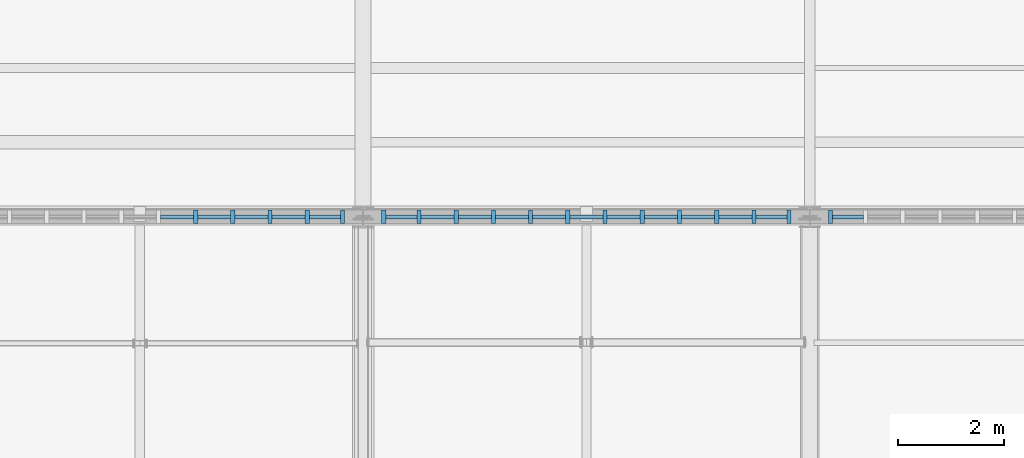
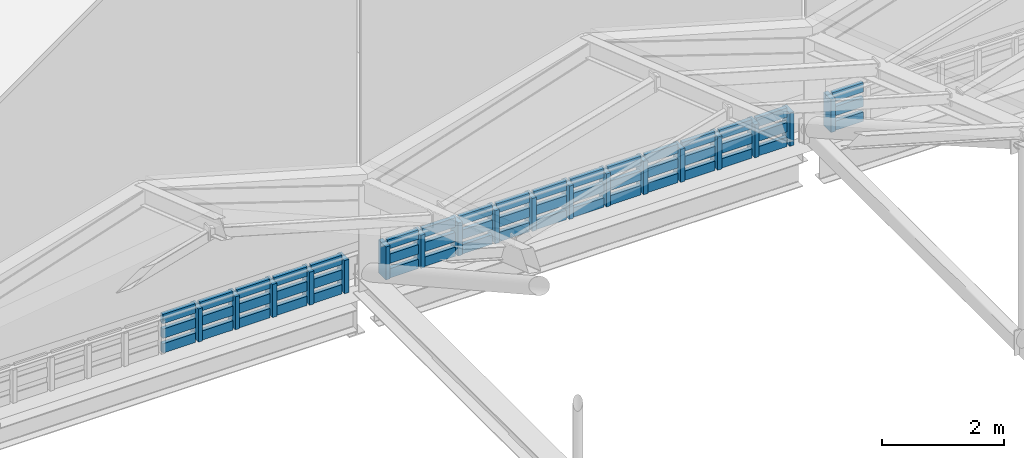
# One storey, part 44 of 77: 69 members, 3 elements without a shape of their own.
"""IFC4 building model written with IfcOpenShell, lengths in metres."""

import ifcopenshell
import ifcopenshell.guid

model = None  # the IFC model being written
_history = None  # IfcOwnerHistory: only IFC2X3 demands one
_inside = {}  # id of a spatial element -> (the spatial element, [elements in it])
_under = {}  # id of a project, library or spatial element -> (it, [spatial elements below it])
_declared = {}  # id of a project -> (the project, [libraries it declares])
_typed = {}  # id of a type object -> (the type object, [elements of that type])
_made_of = {}  # id of a material, layer set ... -> (it, [elements and type objects made of it])


def new_model(schema):
    """Start an empty IFC model of exactly this schema.

    Asked for "IFC4X3", IfcOpenShell would pick the latest addendum, in which some entities
    have other attributes; the version numbers below select the first issue.
    IFC2X3 requires an IfcOwnerHistory on every rooted entity: one is made here for all.
    """
    global model, _history
    if schema == "IFC4X3":
        model = ifcopenshell.file(schema_version=(4, 3, 0, 0))
    else:
        model = ifcopenshell.file(schema=schema)
    _inside.clear()
    _under.clear()
    _declared.clear()
    _typed.clear()
    _made_of.clear()
    _history = None
    if model.schema == "IFC2X3":
        org = make("IfcOrganization", Name="unknown")
        user = make(
            "IfcPersonAndOrganization",
            ThePerson=make("IfcPerson", FamilyName="unknown"),
            TheOrganization=org,
        )
        app = make(
            "IfcApplication",
            ApplicationDeveloper=org,
            Version="unknown",
            ApplicationFullName="unknown",
            ApplicationIdentifier="unknown",
        )
        _history = make(
            "IfcOwnerHistory",
            OwningUser=user,
            OwningApplication=app,
            ChangeAction="ADDED",
            CreationDate=0,
        )
    return model


def make(cls, **values):
    """One entity of the class cls with the attributes given. An attribute that is None is left unset."""
    return model.create_entity(
        cls, **{name: value for name, value in values.items() if value is not None}
    )


def rooted(cls, **values):
    """An entity with a GlobalId (a new one), such as an element, a storey or a relation."""
    return make(cls, GlobalId=ifcopenshell.guid.new(), OwnerHistory=_history, **values)


def si_unit(unit_type, name, prefix=None):
    """IfcSIUnit, for example si_unit("LENGTHUNIT", "METRE", prefix="MILLI")."""
    return make("IfcSIUnit", UnitType=unit_type, Prefix=prefix, Name=name)


def assignment(units):
    """IfcUnitAssignment: the units of a project."""
    return None if units is None else make("IfcUnitAssignment", Units=units)


def point(xyz):
    """IfcCartesianPoint."""
    return None if xyz is None else make("IfcCartesianPoint", Coordinates=xyz)


def direction(xyz):
    """IfcDirection."""
    return None if xyz is None else make("IfcDirection", DirectionRatios=xyz)


def frame(location, z_axis=None, x_axis=None):
    """IfcAxis2Placement3D, a coordinate frame: its origin and axes. An axis left out is left unset."""
    return make(
        "IfcAxis2Placement3D",
        Location=point(location),
        Axis=direction(z_axis),
        RefDirection=direction(x_axis),
    )


def frame_2d(location, x_axis=None):
    """IfcAxis2Placement2D, a coordinate frame in the plane: its origin and x axis."""
    return make(
        "IfcAxis2Placement2D", Location=point(location), RefDirection=direction(x_axis)
    )


def origin():
    """The frame at (0, 0, 0) with its axes left unset."""
    return frame((0.0, 0.0, 0.0))


def origin_2d():
    """The frame at (0, 0) in the plane with its x axis left unset."""
    return frame_2d((0.0, 0.0))


def place(relative_to, where):
    """IfcLocalPlacement: puts the frame where relative to a parent placement (None: the world)."""
    return make(
        "IfcLocalPlacement", PlacementRelTo=relative_to, RelativePlacement=where
    )


def context(
    kind, dimensions, precision=None, world=None, true_north=None, identifier=None
):
    """IfcGeometricRepresentationContext, for example the 3D "Model" context."""
    return make(
        "IfcGeometricRepresentationContext",
        ContextIdentifier=identifier,
        ContextType=kind,
        CoordinateSpaceDimension=dimensions,
        Precision=precision,
        WorldCoordinateSystem=world,
        TrueNorth=true_north,
    )


def subcontext(parent, identifier, kind, view, scale=None):
    """IfcGeometricRepresentationSubContext, for example "Body" below "Model"."""
    return make(
        "IfcGeometricRepresentationSubContext",
        ContextIdentifier=identifier,
        ContextType=kind,
        ParentContext=parent,
        TargetScale=scale,
        TargetView=view,
    )


def project(units=None, contexts=None):
    """IfcProject with its units and contexts."""
    return rooted(
        "IfcProject",
        Name="project",
        RepresentationContexts=contexts,
        UnitsInContext=assignment(units),
    )


def spatial(cls, under=None, at=None, **own):
    """A site, building, storey or space (cls), placed at a placement, below another one or the project."""
    s = rooted(cls, ObjectPlacement=at, **own)
    if under is not None:
        _under.setdefault(under.id(), (under, []))[1].append(s)
    return s


def profile(cls, at=None, kind="AREA", **sizes):
    """A parametric profile (cls). Its sizes go by their IFC names, for example OverallWidth=200.0."""
    return make(cls, ProfileType=kind, Position=at, **sizes)


def rectangle(**sizes):
    """IfcRectangleProfileDef."""
    return profile("IfcRectangleProfileDef", **sizes)


def extrude(swept, where, along, depth):
    """IfcExtrudedAreaSolid: the profile swept, set in the frame where, extruded along a direction by depth."""
    return make(
        "IfcExtrudedAreaSolid",
        SweptArea=swept,
        Position=where,
        ExtrudedDirection=direction(along),
        Depth=depth,
    )


def shape(context_of_items, identifier, shape_type, items):
    """IfcShapeRepresentation: the items that make up one representation, for example the "Body"."""
    return make(
        "IfcShapeRepresentation",
        ContextOfItems=context_of_items,
        RepresentationIdentifier=identifier,
        RepresentationType=shape_type,
        Items=items,
    )


def material(Name=None, Category=None):
    """IfcMaterial."""
    return make("IfcMaterial", Name=Name, Category=Category)


def material_profile(
    of_material, cross_section, Name=None, Category=None, Priority=None
):
    """IfcMaterialProfile: a cross section and its material."""
    return make(
        "IfcMaterialProfile",
        Name=Name,
        Material=of_material,
        Profile=cross_section,
        Priority=Priority,
        Category=Category,
    )


def profile_set(profiles, Name=None, composite=None):
    """IfcMaterialProfileSet."""
    return make(
        "IfcMaterialProfileSet",
        Name=Name,
        MaterialProfiles=profiles,
        CompositeProfile=composite,
    )


def made_of(thing, what):
    """Note that an element or type object is made of a material, layer set ...; save() writes the relation."""
    if what is not None:
        _made_of.setdefault(what.id(), (what, []))[1].append(thing)
    return thing


def type_object(cls, material=None, **own):
    """A type object (cls), such as IfcWallType, which elements share."""
    return made_of(rooted(cls, **own), material)


def element(
    cls,
    number,
    at=None,
    inside=None,
    cuts=None,
    type_object=None,
    material=None,
    context=None,
    identifier="Body",
    shape_type=None,
    held_by="IfcProductDefinitionShape",
    body=None,
    shapes=None,
    **own,
):
    """One element of the class cls, such as IfcWall. Its Tag is "e" and its number.

    at: its placement. inside: the storey or other place that contains it. cuts: it is an
    opening in that element (IfcRelVoidsElement). A single representation is given by context,
    identifier, shape_type and body (its items); several are given by shapes. held_by: the class
    of the entity that holds the representations. save() writes the other relations.
    """
    e = rooted(cls, Tag="e%d" % number, ObjectPlacement=at, **own)
    if body is not None:
        shapes = [shape(context, identifier, shape_type, body)]
    if shapes is not None:
        e.Representation = make(held_by, Representations=shapes)
    if inside is not None:
        _inside.setdefault(inside.id(), (inside, []))[1].append(e)
    if cuts is not None:
        rooted(
            "IfcRelVoidsElement", RelatingBuildingElement=cuts, RelatedOpeningElement=e
        )
    if type_object is not None:
        _typed.setdefault(type_object.id(), (type_object, []))[1].append(e)
    return made_of(e, material)


def aggregate(whole, parts):
    """IfcRelAggregates: a whole, such as a stair, and the parts it consists of."""
    return rooted("IfcRelAggregates", RelatingObject=whole, RelatedObjects=parts)


def save(model, path):
    """Write the relations noted so far, then the file.

    IfcRelAggregates (storeys below a building ...), IfcRelContainedInSpatialStructure (elements
    in a storey), IfcRelDefinesByType, IfcRelAssociatesMaterial and IfcRelDeclares: one each for
    every whole, place, type object, material and project.
    """
    for whole, parts in _under.values():
        aggregate(whole, parts)
    for where, things in _inside.values():
        rooted(
            "IfcRelContainedInSpatialStructure",
            RelatedElements=things,
            RelatingStructure=where,
        )
    for kind, things in _typed.values():
        rooted("IfcRelDefinesByType", RelatedObjects=things, RelatingType=kind)
    for what, things in _made_of.values():
        rooted("IfcRelAssociatesMaterial", RelatedObjects=things, RelatingMaterial=what)
    for by, libraries in _declared.values():
        rooted("IfcRelDeclares", RelatingContext=by, RelatedDefinitions=libraries)
    model.write(path)


model = new_model("IFC4")

# Units and contexts
model_context = context("Model", 3, precision=1e-05, world=origin(), true_north=direction((0.0, 1.0)))
body_context = subcontext(model_context, "Body", "Model", "MODEL_VIEW")
ifc_project = project(units=[si_unit("LENGTHUNIT", "METRE"), si_unit("AREAUNIT", "SQUARE_METRE"), si_unit("VOLUMEUNIT", "CUBIC_METRE"), si_unit("PLANEANGLEUNIT", "RADIAN"), si_unit("MASSUNIT", "GRAM", prefix="KILO")], contexts=[model_context])

# Site, building, storey
site_placement = place(None, origin())
site = spatial("IfcSite", under=ifc_project, at=site_placement, CompositionType="ELEMENT")
building_placement = place(site_placement, origin())
building = spatial("IfcBuilding", under=site, at=building_placement, Name="Larkvane Passage Sports Hall", CompositionType="ELEMENT")
storey_placement = place(building_placement, frame((0.0, 0.0, 22.199951171875)))
storey = spatial("IfcBuildingStorey", under=building, at=storey_placement, Name="RF", CompositionType="ELEMENT", Elevation=22.199951171875)

# Curtain wall, members
ifc_material_1 = material(Name="Thermally broken aluminium and low-E glazing", Category="aluminium")
curtain_wall_type = type_object("IfcCurtainWallType", Name="CW-CLER-N", PredefinedType="USERDEFINED", material=ifc_material_1)
curtain_wall_1_placement = place(storey_placement, origin())
curtain_wall_1 = element("IfcCurtainWall", 1, at=curtain_wall_1_placement, inside=storey, type_object=curtain_wall_type, Name="Curtain wall CW5-RF-CLER-2", ObjectType="STICK CURTAIN WALL", PredefinedType="USERDEFINED")
ifc_material_2 = material(Name="Anodised aluminium 6063-T6", Category="aluminium")
ifc_material_profile_1 = material_profile(ifc_material_2, rectangle(XDim=0.080078125, YDim=0.25, at=origin_2d()), Name="ALU-MUL-80x250")
ifc_profile_set_1 = profile_set([ifc_material_profile_1], Name="Anodised aluminium 6063-T6")
member_type_1 = type_object("IfcMemberType", Name="CW-MUL-80x250", PredefinedType="MULLION", material=ifc_profile_set_1)
member_1_placement = place(storey_placement, frame((51.2099609375, 75.60009765625, 0.0), z_axis=(0.0, 0.0, 1.0), x_axis=(-1.0, 0.0, 0.0)))
member_1 = element("IfcMember", 2, at=member_1_placement, type_object=member_type_1, Name="CW-04 mullion 1", PredefinedType="MULLION", context=body_context, shape_type="SweptSolid", body=[
    extrude(rectangle(XDim=0.080078125, YDim=0.25, at=origin_2d()), origin(), (0.0, 0.0, 1.0), 0.66015625),
])
member_2_placement = place(storey_placement, frame((50.550048828125, 75.60009765625, 0.0), z_axis=(0.0, 0.0, 1.0), x_axis=(-1.0, 0.0, 0.0)))
member_2 = element("IfcMember", 3, at=member_2_placement, type_object=member_type_1, Name="CW-04 mullion 2", PredefinedType="MULLION", context=body_context, shape_type="SweptSolid", body=[
    extrude(rectangle(XDim=0.080078125, YDim=0.25, at=origin_2d()), origin(), (0.0, 0.0, 1.0), 0.66015625),
])
member_3_placement = place(storey_placement, frame((49.85009765625, 75.60009765625, 0.0), z_axis=(0.0, 0.0, 1.0), x_axis=(-1.0, 0.0, 0.0)))
member_3 = element("IfcMember", 4, at=member_3_placement, type_object=member_type_1, Name="CW-04 mullion 3", PredefinedType="MULLION", context=body_context, shape_type="SweptSolid", body=[
    extrude(rectangle(XDim=0.080078125, YDim=0.25, at=origin_2d()), origin(), (0.0, 0.0, 1.0), 0.66015625),
])
member_4_placement = place(storey_placement, frame((49.14990234375, 75.60009765625, 0.0), z_axis=(0.0, 0.0, 1.0), x_axis=(-1.0, 0.0, 0.0)))
member_4 = element("IfcMember", 5, at=member_4_placement, type_object=member_type_1, Name="CW-04 mullion 4", PredefinedType="MULLION", context=body_context, shape_type="SweptSolid", body=[
    extrude(rectangle(XDim=0.080078125, YDim=0.25, at=origin_2d()), origin(), (0.0, 0.0, 1.0), 0.66015625),
])
member_5_placement = place(storey_placement, frame((48.449951171875, 75.60009765625, 0.0), z_axis=(0.0, 0.0, 1.0), x_axis=(-1.0, 0.0, 0.0)))
member_5 = element("IfcMember", 6, at=member_5_placement, type_object=member_type_1, Name="CW-04 mullion 5", PredefinedType="MULLION", context=body_context, shape_type="SweptSolid", body=[
    extrude(rectangle(XDim=0.080078125, YDim=0.25, at=origin_2d()), origin(), (0.0, 0.0, 1.0), 0.66015625),
])

curtain_wall_2_placement = place(storey_placement, origin())
curtain_wall_2 = element("IfcCurtainWall", 7, at=curtain_wall_2_placement, inside=storey, type_object=curtain_wall_type, Name="Curtain wall CW5-RF-CLER-3", ObjectType="STICK CURTAIN WALL", PredefinedType="USERDEFINED")
member_6_placement = place(storey_placement, frame((59.610107421875, 75.60009765625, 0.0), z_axis=(0.0, 0.0, 1.0), x_axis=(-1.0, 0.0, 0.0)))
member_6 = element("IfcMember", 8, at=member_6_placement, type_object=member_type_1, Name="CW-04 mullion 1", PredefinedType="MULLION", context=body_context, shape_type="SweptSolid", body=[
    extrude(rectangle(XDim=0.080078125, YDim=0.25, at=origin_2d()), origin(), (0.0, 0.0, 1.0), 0.66015625),
])
member_7_placement = place(storey_placement, frame((58.949951171875, 75.60009765625, 0.0), z_axis=(0.0, 0.0, 1.0), x_axis=(-1.0, 0.0, 0.0)))
member_7 = element("IfcMember", 9, at=member_7_placement, type_object=member_type_1, Name="CW-04 mullion 2", PredefinedType="MULLION", context=body_context, shape_type="SweptSolid", body=[
    extrude(rectangle(XDim=0.080078125, YDim=0.25, at=origin_2d()), origin(), (0.0, 0.0, 1.0), 0.66015625),
])
member_8_placement = place(storey_placement, frame((58.25, 75.60009765625, 0.0), z_axis=(0.0, 0.0, 1.0), x_axis=(-1.0, 0.0, 0.0)))
member_8 = element("IfcMember", 10, at=member_8_placement, type_object=member_type_1, Name="CW-04 mullion 3", PredefinedType="MULLION", context=body_context, shape_type="SweptSolid", body=[
    extrude(rectangle(XDim=0.080078125, YDim=0.25, at=origin_2d()), origin(), (0.0, 0.0, 1.0), 0.66015625),
])
member_9_placement = place(storey_placement, frame((57.550048828125, 75.60009765625, 0.0), z_axis=(0.0, 0.0, 1.0), x_axis=(-1.0, 0.0, 0.0)))
member_9 = element("IfcMember", 11, at=member_9_placement, type_object=member_type_1, Name="CW-04 mullion 4", PredefinedType="MULLION", context=body_context, shape_type="SweptSolid", body=[
    extrude(rectangle(XDim=0.080078125, YDim=0.25, at=origin_2d()), origin(), (0.0, 0.0, 1.0), 0.66015625),
])
member_10_placement = place(storey_placement, frame((56.85009765625, 75.60009765625, 0.0), z_axis=(0.0, 0.0, 1.0), x_axis=(-1.0, 0.0, 0.0)))
member_10 = element("IfcMember", 12, at=member_10_placement, type_object=member_type_1, Name="CW-04 mullion 5", PredefinedType="MULLION", context=body_context, shape_type="SweptSolid", body=[
    extrude(rectangle(XDim=0.080078125, YDim=0.25, at=origin_2d()), origin(), (0.0, 0.0, 1.0), 0.66015625),
])
member_11_placement = place(storey_placement, frame((56.14990234375, 75.60009765625, 0.0), z_axis=(0.0, 0.0, 1.0), x_axis=(-1.0, 0.0, 0.0)))
member_11 = element("IfcMember", 13, at=member_11_placement, type_object=member_type_1, Name="CW-04 mullion 6", PredefinedType="MULLION", context=body_context, shape_type="SweptSolid", body=[
    extrude(rectangle(XDim=0.080078125, YDim=0.25, at=origin_2d()), origin(), (0.0, 0.0, 1.0), 0.66015625),
])
member_12_placement = place(storey_placement, frame((55.449951171875, 75.60009765625, 0.0), z_axis=(0.0, 0.0, 1.0), x_axis=(-1.0, 0.0, 0.0)))
member_12 = element("IfcMember", 14, at=member_12_placement, type_object=member_type_1, Name="CW-04 mullion 7", PredefinedType="MULLION", context=body_context, shape_type="SweptSolid", body=[
    extrude(rectangle(XDim=0.080078125, YDim=0.25, at=origin_2d()), origin(), (0.0, 0.0, 1.0), 0.66015625),
])
member_13_placement = place(storey_placement, frame((54.75, 75.60009765625, 0.0), z_axis=(0.0, 0.0, 1.0), x_axis=(-1.0, 0.0, 0.0)))
member_13 = element("IfcMember", 15, at=member_13_placement, type_object=member_type_1, Name="CW-04 mullion 8", PredefinedType="MULLION", context=body_context, shape_type="SweptSolid", body=[
    extrude(rectangle(XDim=0.080078125, YDim=0.25, at=origin_2d()), origin(), (0.0, 0.0, 1.0), 0.66015625),
])
member_14_placement = place(storey_placement, frame((54.050048828125, 75.60009765625, 0.0), z_axis=(0.0, 0.0, 1.0), x_axis=(-1.0, 0.0, 0.0)))
member_14 = element("IfcMember", 16, at=member_14_placement, type_object=member_type_1, Name="CW-04 mullion 9", PredefinedType="MULLION", context=body_context, shape_type="SweptSolid", body=[
    extrude(rectangle(XDim=0.080078125, YDim=0.25, at=origin_2d()), origin(), (0.0, 0.0, 1.0), 0.66015625),
])
member_15_placement = place(storey_placement, frame((53.35009765625, 75.60009765625, 0.0), z_axis=(0.0, 0.0, 1.0), x_axis=(-1.0, 0.0, 0.0)))
member_15 = element("IfcMember", 17, at=member_15_placement, type_object=member_type_1, Name="CW-04 mullion 10", PredefinedType="MULLION", context=body_context, shape_type="SweptSolid", body=[
    extrude(rectangle(XDim=0.080078125, YDim=0.25, at=origin_2d()), origin(), (0.0, 0.0, 1.0), 0.66015625),
])
member_16_placement = place(storey_placement, frame((52.64990234375, 75.60009765625, 0.0), z_axis=(0.0, 0.0, 1.0), x_axis=(-1.0, 0.0, 0.0)))
member_16 = element("IfcMember", 18, at=member_16_placement, type_object=member_type_1, Name="CW-04 mullion 11", PredefinedType="MULLION", context=body_context, shape_type="SweptSolid", body=[
    extrude(rectangle(XDim=0.080078125, YDim=0.25, at=origin_2d()), origin(), (0.0, 0.0, 1.0), 0.66015625),
])
member_17_placement = place(storey_placement, frame((51.989990234375, 75.60009765625, 0.0), z_axis=(0.0, 0.0, 1.0), x_axis=(-1.0, 0.0, 0.0)))
member_17 = element("IfcMember", 19, at=member_17_placement, type_object=member_type_1, Name="CW-04 mullion 12", PredefinedType="MULLION", context=body_context, shape_type="SweptSolid", body=[
    extrude(rectangle(XDim=0.080078125, YDim=0.25, at=origin_2d()), origin(), (0.0, 0.0, 1.0), 0.66015625),
])

# Curtain wall, member
curtain_wall_3_placement = place(storey_placement, origin())
curtain_wall_3 = element("IfcCurtainWall", 20, at=curtain_wall_3_placement, inside=storey, type_object=curtain_wall_type, Name="Curtain wall CW5-RF-CLER-4", ObjectType="STICK CURTAIN WALL", PredefinedType="USERDEFINED")
member_18_placement = place(storey_placement, frame((60.389892578125, 75.60009765625, 0.0), z_axis=(0.0, 0.0, 1.0), x_axis=(-1.0, 0.0, 0.0)))
member_18 = element("IfcMember", 21, at=member_18_placement, type_object=member_type_1, Name="CW-04 mullion 12", PredefinedType="MULLION", context=body_context, shape_type="SweptSolid", body=[
    extrude(rectangle(XDim=0.080078125, YDim=0.25, at=origin_2d()), origin(), (0.0, 0.0, 1.0), 0.66015625),
])

# Member
ifc_material_profile_2 = material_profile(ifc_material_2, rectangle(XDim=0.074951171875, YDim=0.18505859375, at=origin_2d()), Name="ALU-TRN-75x185")
ifc_profile_set_2 = profile_set([ifc_material_profile_2], Name="Anodised aluminium 6063-T6")
member_type_2 = type_object("IfcMemberType", Name="CW-TRN-75x185", PredefinedType="USERDEFINED", material=ifc_profile_set_2)
member_19_placement = place(storey_placement, frame((51.169921875, 75.60009765625, 0.03759765625), z_axis=(-1.0, 0.0, 0.0), x_axis=(0.0, -1.0, 0.0)))
member_19 = element("IfcMember", 22, at=member_19_placement, type_object=member_type_2, Name="CW-04 transom 1.1", ObjectType="TRANSOM", PredefinedType="USERDEFINED", context=body_context, shape_type="SweptSolid", body=[
    extrude(rectangle(XDim=0.074951171875, YDim=0.18505859375, at=origin_2d()), origin(), (0.0, 0.0, 1.0), 0.579833984375),
])

member_20_placement = place(storey_placement, frame((51.169921875, 75.60009765625, 0.330078125), z_axis=(-1.0, 0.0, 0.0), x_axis=(0.0, -1.0, 0.0)))
member_20 = element("IfcMember", 23, at=member_20_placement, type_object=member_type_2, Name="CW-04 transom 1.2", ObjectType="TRANSOM", PredefinedType="USERDEFINED", context=body_context, shape_type="SweptSolid", body=[
    extrude(rectangle(XDim=0.074951171875, YDim=0.18505859375, at=origin_2d()), origin(), (0.0, 0.0, 1.0), 0.579833984375),
])

member_21_placement = place(storey_placement, frame((51.169921875, 75.60009765625, 0.62255859375), z_axis=(-1.0, 0.0, 0.0), x_axis=(0.0, -1.0, 0.0)))
member_21 = element("IfcMember", 24, at=member_21_placement, type_object=member_type_2, Name="CW-04 transom 1.3", ObjectType="TRANSOM", PredefinedType="USERDEFINED", context=body_context, shape_type="SweptSolid", body=[
    extrude(rectangle(XDim=0.074951171875, YDim=0.18505859375, at=origin_2d()), origin(), (0.0, 0.0, 1.0), 0.579833984375),
])

member_22_placement = place(storey_placement, frame((50.510009765625, 75.60009765625, 0.03759765625), z_axis=(-1.0, 0.0, 0.0), x_axis=(0.0, -1.0, 0.0)))
member_22 = element("IfcMember", 25, at=member_22_placement, type_object=member_type_2, Name="CW-04 transom 2.1", ObjectType="TRANSOM", PredefinedType="USERDEFINED", context=body_context, shape_type="SweptSolid", body=[
    extrude(rectangle(XDim=0.074951171875, YDim=0.18505859375, at=origin_2d()), origin(), (0.0, 0.0, 1.0), 0.6201171875),
])

member_23_placement = place(storey_placement, frame((50.510009765625, 75.60009765625, 0.330078125), z_axis=(-1.0, 0.0, 0.0), x_axis=(0.0, -1.0, 0.0)))
member_23 = element("IfcMember", 26, at=member_23_placement, type_object=member_type_2, Name="CW-04 transom 2.2", ObjectType="TRANSOM", PredefinedType="USERDEFINED", context=body_context, shape_type="SweptSolid", body=[
    extrude(rectangle(XDim=0.074951171875, YDim=0.18505859375, at=origin_2d()), origin(), (0.0, 0.0, 1.0), 0.6201171875),
])

member_24_placement = place(storey_placement, frame((50.510009765625, 75.60009765625, 0.62255859375), z_axis=(-1.0, 0.0, 0.0), x_axis=(0.0, -1.0, 0.0)))
member_24 = element("IfcMember", 27, at=member_24_placement, type_object=member_type_2, Name="CW-04 transom 2.3", ObjectType="TRANSOM", PredefinedType="USERDEFINED", context=body_context, shape_type="SweptSolid", body=[
    extrude(rectangle(XDim=0.074951171875, YDim=0.18505859375, at=origin_2d()), origin(), (0.0, 0.0, 1.0), 0.6201171875),
])

member_25_placement = place(storey_placement, frame((49.81005859375, 75.60009765625, 0.03759765625), z_axis=(-1.0, 0.0, 0.0), x_axis=(0.0, -1.0, 0.0)))
member_25 = element("IfcMember", 28, at=member_25_placement, type_object=member_type_2, Name="CW-04 transom 3.1", ObjectType="TRANSOM", PredefinedType="USERDEFINED", context=body_context, shape_type="SweptSolid", body=[
    extrude(rectangle(XDim=0.074951171875, YDim=0.18505859375, at=origin_2d()), origin(), (0.0, 0.0, 1.0), 0.6201171875),
])

member_26_placement = place(storey_placement, frame((49.81005859375, 75.60009765625, 0.330078125), z_axis=(-1.0, 0.0, 0.0), x_axis=(0.0, -1.0, 0.0)))
member_26 = element("IfcMember", 29, at=member_26_placement, type_object=member_type_2, Name="CW-04 transom 3.2", ObjectType="TRANSOM", PredefinedType="USERDEFINED", context=body_context, shape_type="SweptSolid", body=[
    extrude(rectangle(XDim=0.074951171875, YDim=0.18505859375, at=origin_2d()), origin(), (0.0, 0.0, 1.0), 0.6201171875),
])

member_27_placement = place(storey_placement, frame((49.81005859375, 75.60009765625, 0.62255859375), z_axis=(-1.0, 0.0, 0.0), x_axis=(0.0, -1.0, 0.0)))
member_27 = element("IfcMember", 30, at=member_27_placement, type_object=member_type_2, Name="CW-04 transom 3.3", ObjectType="TRANSOM", PredefinedType="USERDEFINED", context=body_context, shape_type="SweptSolid", body=[
    extrude(rectangle(XDim=0.074951171875, YDim=0.18505859375, at=origin_2d()), origin(), (0.0, 0.0, 1.0), 0.6201171875),
])

member_28_placement = place(storey_placement, frame((49.110107421875, 75.60009765625, 0.03759765625), z_axis=(-1.0, 0.0, 0.0), x_axis=(0.0, -1.0, 0.0)))
member_28 = element("IfcMember", 31, at=member_28_placement, type_object=member_type_2, Name="CW-04 transom 4.1", ObjectType="TRANSOM", PredefinedType="USERDEFINED", context=body_context, shape_type="SweptSolid", body=[
    extrude(rectangle(XDim=0.074951171875, YDim=0.18505859375, at=origin_2d()), origin(), (0.0, 0.0, 1.0), 0.6201171875),
])

member_29_placement = place(storey_placement, frame((49.110107421875, 75.60009765625, 0.330078125), z_axis=(-1.0, 0.0, 0.0), x_axis=(0.0, -1.0, 0.0)))
member_29 = element("IfcMember", 32, at=member_29_placement, type_object=member_type_2, Name="CW-04 transom 4.2", ObjectType="TRANSOM", PredefinedType="USERDEFINED", context=body_context, shape_type="SweptSolid", body=[
    extrude(rectangle(XDim=0.074951171875, YDim=0.18505859375, at=origin_2d()), origin(), (0.0, 0.0, 1.0), 0.6201171875),
])

member_30_placement = place(storey_placement, frame((49.110107421875, 75.60009765625, 0.62255859375), z_axis=(-1.0, 0.0, 0.0), x_axis=(0.0, -1.0, 0.0)))
member_30 = element("IfcMember", 33, at=member_30_placement, type_object=member_type_2, Name="CW-04 transom 4.3", ObjectType="TRANSOM", PredefinedType="USERDEFINED", context=body_context, shape_type="SweptSolid", body=[
    extrude(rectangle(XDim=0.074951171875, YDim=0.18505859375, at=origin_2d()), origin(), (0.0, 0.0, 1.0), 0.6201171875),
])

member_31_placement = place(storey_placement, frame((48.409912109375, 75.60009765625, 0.03759765625), z_axis=(-1.0, 0.0, 0.0), x_axis=(0.0, -1.0, 0.0)))
member_31 = element("IfcMember", 34, at=member_31_placement, type_object=member_type_2, Name="CW-04 transom 5.1", ObjectType="TRANSOM", PredefinedType="USERDEFINED", context=body_context, shape_type="SweptSolid", body=[
    extrude(rectangle(XDim=0.074951171875, YDim=0.18505859375, at=origin_2d()), origin(), (0.0, 0.0, 1.0), 0.619873046875),
])

member_32_placement = place(storey_placement, frame((48.409912109375, 75.60009765625, 0.330078125), z_axis=(-1.0, 0.0, 0.0), x_axis=(0.0, -1.0, 0.0)))
member_32 = element("IfcMember", 35, at=member_32_placement, type_object=member_type_2, Name="CW-04 transom 5.2", ObjectType="TRANSOM", PredefinedType="USERDEFINED", context=body_context, shape_type="SweptSolid", body=[
    extrude(rectangle(XDim=0.074951171875, YDim=0.18505859375, at=origin_2d()), origin(), (0.0, 0.0, 1.0), 0.619873046875),
])

member_33_placement = place(storey_placement, frame((48.409912109375, 75.60009765625, 0.62255859375), z_axis=(-1.0, 0.0, 0.0), x_axis=(0.0, -1.0, 0.0)))
member_33 = element("IfcMember", 36, at=member_33_placement, type_object=member_type_2, Name="CW-04 transom 5.3", ObjectType="TRANSOM", PredefinedType="USERDEFINED", context=body_context, shape_type="SweptSolid", body=[
    extrude(rectangle(XDim=0.074951171875, YDim=0.18505859375, at=origin_2d()), origin(), (0.0, 0.0, 1.0), 0.619873046875),
])

aggregate(curtain_wall_1, [member_1, member_2, member_3, member_4, member_5, member_19, member_20, member_21, member_22, member_23, member_24, member_25, member_26, member_27, member_28, member_29, member_30, member_31, member_32, member_33])

member_34_placement = place(storey_placement, frame((59.570068359375, 75.60009765625, 0.03759765625), z_axis=(-1.0, 0.0, 0.0), x_axis=(0.0, -1.0, 0.0)))
member_34 = element("IfcMember", 37, at=member_34_placement, type_object=member_type_2, Name="CW-04 transom 1.1", ObjectType="TRANSOM", PredefinedType="USERDEFINED", context=body_context, shape_type="SweptSolid", body=[
    extrude(rectangle(XDim=0.074951171875, YDim=0.18505859375, at=origin_2d()), origin(), (0.0, 0.0, 1.0), 0.580078125),
])

member_35_placement = place(storey_placement, frame((59.570068359375, 75.60009765625, 0.330078125), z_axis=(-1.0, 0.0, 0.0), x_axis=(0.0, -1.0, 0.0)))
member_35 = element("IfcMember", 38, at=member_35_placement, type_object=member_type_2, Name="CW-04 transom 1.2", ObjectType="TRANSOM", PredefinedType="USERDEFINED", context=body_context, shape_type="SweptSolid", body=[
    extrude(rectangle(XDim=0.074951171875, YDim=0.18505859375, at=origin_2d()), origin(), (0.0, 0.0, 1.0), 0.580078125),
])

member_36_placement = place(storey_placement, frame((59.570068359375, 75.60009765625, 0.62255859375), z_axis=(-1.0, 0.0, 0.0), x_axis=(0.0, -1.0, 0.0)))
member_36 = element("IfcMember", 39, at=member_36_placement, type_object=member_type_2, Name="CW-04 transom 1.3", ObjectType="TRANSOM", PredefinedType="USERDEFINED", context=body_context, shape_type="SweptSolid", body=[
    extrude(rectangle(XDim=0.074951171875, YDim=0.18505859375, at=origin_2d()), origin(), (0.0, 0.0, 1.0), 0.580078125),
])

member_37_placement = place(storey_placement, frame((58.909912109375, 75.60009765625, 0.03759765625), z_axis=(-1.0, 0.0, 0.0), x_axis=(0.0, -1.0, 0.0)))
member_37 = element("IfcMember", 40, at=member_37_placement, type_object=member_type_2, Name="CW-04 transom 2.1", ObjectType="TRANSOM", PredefinedType="USERDEFINED", context=body_context, shape_type="SweptSolid", body=[
    extrude(rectangle(XDim=0.074951171875, YDim=0.18505859375, at=origin_2d()), origin(), (0.0, 0.0, 1.0), 0.619873046875),
])

member_38_placement = place(storey_placement, frame((58.909912109375, 75.60009765625, 0.330078125), z_axis=(-1.0, 0.0, 0.0), x_axis=(0.0, -1.0, 0.0)))
member_38 = element("IfcMember", 41, at=member_38_placement, type_object=member_type_2, Name="CW-04 transom 2.2", ObjectType="TRANSOM", PredefinedType="USERDEFINED", context=body_context, shape_type="SweptSolid", body=[
    extrude(rectangle(XDim=0.074951171875, YDim=0.18505859375, at=origin_2d()), origin(), (0.0, 0.0, 1.0), 0.619873046875),
])

member_39_placement = place(storey_placement, frame((58.909912109375, 75.60009765625, 0.62255859375), z_axis=(-1.0, 0.0, 0.0), x_axis=(0.0, -1.0, 0.0)))
member_39 = element("IfcMember", 42, at=member_39_placement, type_object=member_type_2, Name="CW-04 transom 2.3", ObjectType="TRANSOM", PredefinedType="USERDEFINED", context=body_context, shape_type="SweptSolid", body=[
    extrude(rectangle(XDim=0.074951171875, YDim=0.18505859375, at=origin_2d()), origin(), (0.0, 0.0, 1.0), 0.619873046875),
])

member_40_placement = place(storey_placement, frame((58.2099609375, 75.60009765625, 0.03759765625), z_axis=(-1.0, 0.0, 0.0), x_axis=(0.0, -1.0, 0.0)))
member_40 = element("IfcMember", 43, at=member_40_placement, type_object=member_type_2, Name="CW-04 transom 3.1", ObjectType="TRANSOM", PredefinedType="USERDEFINED", context=body_context, shape_type="SweptSolid", body=[
    extrude(rectangle(XDim=0.074951171875, YDim=0.18505859375, at=origin_2d()), origin(), (0.0, 0.0, 1.0), 0.619873046875),
])

member_41_placement = place(storey_placement, frame((58.2099609375, 75.60009765625, 0.330078125), z_axis=(-1.0, 0.0, 0.0), x_axis=(0.0, -1.0, 0.0)))
member_41 = element("IfcMember", 44, at=member_41_placement, type_object=member_type_2, Name="CW-04 transom 3.2", ObjectType="TRANSOM", PredefinedType="USERDEFINED", context=body_context, shape_type="SweptSolid", body=[
    extrude(rectangle(XDim=0.074951171875, YDim=0.18505859375, at=origin_2d()), origin(), (0.0, 0.0, 1.0), 0.619873046875),
])

member_42_placement = place(storey_placement, frame((58.2099609375, 75.60009765625, 0.62255859375), z_axis=(-1.0, 0.0, 0.0), x_axis=(0.0, -1.0, 0.0)))
member_42 = element("IfcMember", 45, at=member_42_placement, type_object=member_type_2, Name="CW-04 transom 3.3", ObjectType="TRANSOM", PredefinedType="USERDEFINED", context=body_context, shape_type="SweptSolid", body=[
    extrude(rectangle(XDim=0.074951171875, YDim=0.18505859375, at=origin_2d()), origin(), (0.0, 0.0, 1.0), 0.619873046875),
])

member_43_placement = place(storey_placement, frame((57.510009765625, 75.60009765625, 0.03759765625), z_axis=(-1.0, 0.0, 0.0), x_axis=(0.0, -1.0, 0.0)))
member_43 = element("IfcMember", 46, at=member_43_placement, type_object=member_type_2, Name="CW-04 transom 4.1", ObjectType="TRANSOM", PredefinedType="USERDEFINED", context=body_context, shape_type="SweptSolid", body=[
    extrude(rectangle(XDim=0.074951171875, YDim=0.18505859375, at=origin_2d()), origin(), (0.0, 0.0, 1.0), 0.6201171875),
])

member_44_placement = place(storey_placement, frame((57.510009765625, 75.60009765625, 0.330078125), z_axis=(-1.0, 0.0, 0.0), x_axis=(0.0, -1.0, 0.0)))
member_44 = element("IfcMember", 47, at=member_44_placement, type_object=member_type_2, Name="CW-04 transom 4.2", ObjectType="TRANSOM", PredefinedType="USERDEFINED", context=body_context, shape_type="SweptSolid", body=[
    extrude(rectangle(XDim=0.074951171875, YDim=0.18505859375, at=origin_2d()), origin(), (0.0, 0.0, 1.0), 0.6201171875),
])

member_45_placement = place(storey_placement, frame((57.510009765625, 75.60009765625, 0.62255859375), z_axis=(-1.0, 0.0, 0.0), x_axis=(0.0, -1.0, 0.0)))
member_45 = element("IfcMember", 48, at=member_45_placement, type_object=member_type_2, Name="CW-04 transom 4.3", ObjectType="TRANSOM", PredefinedType="USERDEFINED", context=body_context, shape_type="SweptSolid", body=[
    extrude(rectangle(XDim=0.074951171875, YDim=0.18505859375, at=origin_2d()), origin(), (0.0, 0.0, 1.0), 0.6201171875),
])

member_46_placement = place(storey_placement, frame((56.81005859375, 75.60009765625, 0.03759765625), z_axis=(-1.0, 0.0, 0.0), x_axis=(0.0, -1.0, 0.0)))
member_46 = element("IfcMember", 49, at=member_46_placement, type_object=member_type_2, Name="CW-04 transom 5.1", ObjectType="TRANSOM", PredefinedType="USERDEFINED", context=body_context, shape_type="SweptSolid", body=[
    extrude(rectangle(XDim=0.074951171875, YDim=0.18505859375, at=origin_2d()), origin(), (0.0, 0.0, 1.0), 0.6201171875),
])

member_47_placement = place(storey_placement, frame((56.81005859375, 75.60009765625, 0.330078125), z_axis=(-1.0, 0.0, 0.0), x_axis=(0.0, -1.0, 0.0)))
member_47 = element("IfcMember", 50, at=member_47_placement, type_object=member_type_2, Name="CW-04 transom 5.2", ObjectType="TRANSOM", PredefinedType="USERDEFINED", context=body_context, shape_type="SweptSolid", body=[
    extrude(rectangle(XDim=0.074951171875, YDim=0.18505859375, at=origin_2d()), origin(), (0.0, 0.0, 1.0), 0.6201171875),
])

member_48_placement = place(storey_placement, frame((56.81005859375, 75.60009765625, 0.62255859375), z_axis=(-1.0, 0.0, 0.0), x_axis=(0.0, -1.0, 0.0)))
member_48 = element("IfcMember", 51, at=member_48_placement, type_object=member_type_2, Name="CW-04 transom 5.3", ObjectType="TRANSOM", PredefinedType="USERDEFINED", context=body_context, shape_type="SweptSolid", body=[
    extrude(rectangle(XDim=0.074951171875, YDim=0.18505859375, at=origin_2d()), origin(), (0.0, 0.0, 1.0), 0.6201171875),
])

member_49_placement = place(storey_placement, frame((56.110107421875, 75.60009765625, 0.03759765625), z_axis=(-1.0, 0.0, 0.0), x_axis=(0.0, -1.0, 0.0)))
member_49 = element("IfcMember", 52, at=member_49_placement, type_object=member_type_2, Name="CW-04 transom 6.1", ObjectType="TRANSOM", PredefinedType="USERDEFINED", context=body_context, shape_type="SweptSolid", body=[
    extrude(rectangle(XDim=0.074951171875, YDim=0.18505859375, at=origin_2d()), origin(), (0.0, 0.0, 1.0), 0.6201171875),
])

member_50_placement = place(storey_placement, frame((56.110107421875, 75.60009765625, 0.330078125), z_axis=(-1.0, 0.0, 0.0), x_axis=(0.0, -1.0, 0.0)))
member_50 = element("IfcMember", 53, at=member_50_placement, type_object=member_type_2, Name="CW-04 transom 6.2", ObjectType="TRANSOM", PredefinedType="USERDEFINED", context=body_context, shape_type="SweptSolid", body=[
    extrude(rectangle(XDim=0.074951171875, YDim=0.18505859375, at=origin_2d()), origin(), (0.0, 0.0, 1.0), 0.6201171875),
])

member_51_placement = place(storey_placement, frame((56.110107421875, 75.60009765625, 0.62255859375), z_axis=(-1.0, 0.0, 0.0), x_axis=(0.0, -1.0, 0.0)))
member_51 = element("IfcMember", 54, at=member_51_placement, type_object=member_type_2, Name="CW-04 transom 6.3", ObjectType="TRANSOM", PredefinedType="USERDEFINED", context=body_context, shape_type="SweptSolid", body=[
    extrude(rectangle(XDim=0.074951171875, YDim=0.18505859375, at=origin_2d()), origin(), (0.0, 0.0, 1.0), 0.6201171875),
])

member_52_placement = place(storey_placement, frame((55.409912109375, 75.60009765625, 0.03759765625), z_axis=(-1.0, 0.0, 0.0), x_axis=(0.0, -1.0, 0.0)))
member_52 = element("IfcMember", 55, at=member_52_placement, type_object=member_type_2, Name="CW-04 transom 7.1", ObjectType="TRANSOM", PredefinedType="USERDEFINED", context=body_context, shape_type="SweptSolid", body=[
    extrude(rectangle(XDim=0.074951171875, YDim=0.18505859375, at=origin_2d()), origin(), (0.0, 0.0, 1.0), 0.619873046875),
])

member_53_placement = place(storey_placement, frame((55.409912109375, 75.60009765625, 0.330078125), z_axis=(-1.0, 0.0, 0.0), x_axis=(0.0, -1.0, 0.0)))
member_53 = element("IfcMember", 56, at=member_53_placement, type_object=member_type_2, Name="CW-04 transom 7.2", ObjectType="TRANSOM", PredefinedType="USERDEFINED", context=body_context, shape_type="SweptSolid", body=[
    extrude(rectangle(XDim=0.074951171875, YDim=0.18505859375, at=origin_2d()), origin(), (0.0, 0.0, 1.0), 0.619873046875),
])

member_54_placement = place(storey_placement, frame((55.409912109375, 75.60009765625, 0.62255859375), z_axis=(-1.0, 0.0, 0.0), x_axis=(0.0, -1.0, 0.0)))
member_54 = element("IfcMember", 57, at=member_54_placement, type_object=member_type_2, Name="CW-04 transom 7.3", ObjectType="TRANSOM", PredefinedType="USERDEFINED", context=body_context, shape_type="SweptSolid", body=[
    extrude(rectangle(XDim=0.074951171875, YDim=0.18505859375, at=origin_2d()), origin(), (0.0, 0.0, 1.0), 0.619873046875),
])

member_55_placement = place(storey_placement, frame((54.7099609375, 75.60009765625, 0.03759765625), z_axis=(-1.0, 0.0, 0.0), x_axis=(0.0, -1.0, 0.0)))
member_55 = element("IfcMember", 58, at=member_55_placement, type_object=member_type_2, Name="CW-04 transom 8.1", ObjectType="TRANSOM", PredefinedType="USERDEFINED", context=body_context, shape_type="SweptSolid", body=[
    extrude(rectangle(XDim=0.074951171875, YDim=0.18505859375, at=origin_2d()), origin(), (0.0, 0.0, 1.0), 0.619873046875),
])

member_56_placement = place(storey_placement, frame((54.7099609375, 75.60009765625, 0.330078125), z_axis=(-1.0, 0.0, 0.0), x_axis=(0.0, -1.0, 0.0)))
member_56 = element("IfcMember", 59, at=member_56_placement, type_object=member_type_2, Name="CW-04 transom 8.2", ObjectType="TRANSOM", PredefinedType="USERDEFINED", context=body_context, shape_type="SweptSolid", body=[
    extrude(rectangle(XDim=0.074951171875, YDim=0.18505859375, at=origin_2d()), origin(), (0.0, 0.0, 1.0), 0.619873046875),
])

member_57_placement = place(storey_placement, frame((54.7099609375, 75.60009765625, 0.62255859375), z_axis=(-1.0, 0.0, 0.0), x_axis=(0.0, -1.0, 0.0)))
member_57 = element("IfcMember", 60, at=member_57_placement, type_object=member_type_2, Name="CW-04 transom 8.3", ObjectType="TRANSOM", PredefinedType="USERDEFINED", context=body_context, shape_type="SweptSolid", body=[
    extrude(rectangle(XDim=0.074951171875, YDim=0.18505859375, at=origin_2d()), origin(), (0.0, 0.0, 1.0), 0.619873046875),
])

member_58_placement = place(storey_placement, frame((54.010009765625, 75.60009765625, 0.03759765625), z_axis=(-1.0, 0.0, 0.0), x_axis=(0.0, -1.0, 0.0)))
member_58 = element("IfcMember", 61, at=member_58_placement, type_object=member_type_2, Name="CW-04 transom 9.1", ObjectType="TRANSOM", PredefinedType="USERDEFINED", context=body_context, shape_type="SweptSolid", body=[
    extrude(rectangle(XDim=0.074951171875, YDim=0.18505859375, at=origin_2d()), origin(), (0.0, 0.0, 1.0), 0.6201171875),
])

member_59_placement = place(storey_placement, frame((54.010009765625, 75.60009765625, 0.330078125), z_axis=(-1.0, 0.0, 0.0), x_axis=(0.0, -1.0, 0.0)))
member_59 = element("IfcMember", 62, at=member_59_placement, type_object=member_type_2, Name="CW-04 transom 9.2", ObjectType="TRANSOM", PredefinedType="USERDEFINED", context=body_context, shape_type="SweptSolid", body=[
    extrude(rectangle(XDim=0.074951171875, YDim=0.18505859375, at=origin_2d()), origin(), (0.0, 0.0, 1.0), 0.6201171875),
])

member_60_placement = place(storey_placement, frame((54.010009765625, 75.60009765625, 0.62255859375), z_axis=(-1.0, 0.0, 0.0), x_axis=(0.0, -1.0, 0.0)))
member_60 = element("IfcMember", 63, at=member_60_placement, type_object=member_type_2, Name="CW-04 transom 9.3", ObjectType="TRANSOM", PredefinedType="USERDEFINED", context=body_context, shape_type="SweptSolid", body=[
    extrude(rectangle(XDim=0.074951171875, YDim=0.18505859375, at=origin_2d()), origin(), (0.0, 0.0, 1.0), 0.6201171875),
])

member_61_placement = place(storey_placement, frame((53.31005859375, 75.60009765625, 0.03759765625), z_axis=(-1.0, 0.0, 0.0), x_axis=(0.0, -1.0, 0.0)))
member_61 = element("IfcMember", 64, at=member_61_placement, type_object=member_type_2, Name="CW-04 transom 10.1", ObjectType="TRANSOM", PredefinedType="USERDEFINED", context=body_context, shape_type="SweptSolid", body=[
    extrude(rectangle(XDim=0.074951171875, YDim=0.18505859375, at=origin_2d()), origin(), (0.0, 0.0, 1.0), 0.6201171875),
])

member_62_placement = place(storey_placement, frame((53.31005859375, 75.60009765625, 0.330078125), z_axis=(-1.0, 0.0, 0.0), x_axis=(0.0, -1.0, 0.0)))
member_62 = element("IfcMember", 65, at=member_62_placement, type_object=member_type_2, Name="CW-04 transom 10.2", ObjectType="TRANSOM", PredefinedType="USERDEFINED", context=body_context, shape_type="SweptSolid", body=[
    extrude(rectangle(XDim=0.074951171875, YDim=0.18505859375, at=origin_2d()), origin(), (0.0, 0.0, 1.0), 0.6201171875),
])

member_63_placement = place(storey_placement, frame((53.31005859375, 75.60009765625, 0.62255859375), z_axis=(-1.0, 0.0, 0.0), x_axis=(0.0, -1.0, 0.0)))
member_63 = element("IfcMember", 66, at=member_63_placement, type_object=member_type_2, Name="CW-04 transom 10.3", ObjectType="TRANSOM", PredefinedType="USERDEFINED", context=body_context, shape_type="SweptSolid", body=[
    extrude(rectangle(XDim=0.074951171875, YDim=0.18505859375, at=origin_2d()), origin(), (0.0, 0.0, 1.0), 0.6201171875),
])

member_64_placement = place(storey_placement, frame((52.610107421875, 75.60009765625, 0.03759765625), z_axis=(-1.0, 0.0, 0.0), x_axis=(0.0, -1.0, 0.0)))
member_64 = element("IfcMember", 67, at=member_64_placement, type_object=member_type_2, Name="CW-04 transom 11.1", ObjectType="TRANSOM", PredefinedType="USERDEFINED", context=body_context, shape_type="SweptSolid", body=[
    extrude(rectangle(XDim=0.074951171875, YDim=0.18505859375, at=origin_2d()), origin(), (0.0, 0.0, 1.0), 0.580078125),
])

member_65_placement = place(storey_placement, frame((52.610107421875, 75.60009765625, 0.330078125), z_axis=(-1.0, 0.0, 0.0), x_axis=(0.0, -1.0, 0.0)))
member_65 = element("IfcMember", 68, at=member_65_placement, type_object=member_type_2, Name="CW-04 transom 11.2", ObjectType="TRANSOM", PredefinedType="USERDEFINED", context=body_context, shape_type="SweptSolid", body=[
    extrude(rectangle(XDim=0.074951171875, YDim=0.18505859375, at=origin_2d()), origin(), (0.0, 0.0, 1.0), 0.580078125),
])

member_66_placement = place(storey_placement, frame((52.610107421875, 75.60009765625, 0.62255859375), z_axis=(-1.0, 0.0, 0.0), x_axis=(0.0, -1.0, 0.0)))
member_66 = element("IfcMember", 69, at=member_66_placement, type_object=member_type_2, Name="CW-04 transom 11.3", ObjectType="TRANSOM", PredefinedType="USERDEFINED", context=body_context, shape_type="SweptSolid", body=[
    extrude(rectangle(XDim=0.074951171875, YDim=0.18505859375, at=origin_2d()), origin(), (0.0, 0.0, 1.0), 0.580078125),
])

aggregate(curtain_wall_2, [member_6, member_7, member_8, member_9, member_10, member_11, member_12, member_13, member_14, member_15, member_16, member_17, member_34, member_35, member_36, member_37, member_38, member_39, member_40, member_41, member_42, member_43, member_44, member_45, member_46, member_47, member_48, member_49, member_50, member_51, member_52, member_53, member_54, member_55, member_56, member_57, member_58, member_59, member_60, member_61, member_62, member_63, member_64, member_65, member_66])

member_67_placement = place(storey_placement, frame((61.010009765625, 75.60009765625, 0.03759765625), z_axis=(-1.0, 0.0, 0.0), x_axis=(0.0, -1.0, 0.0)))
member_67 = element("IfcMember", 70, at=member_67_placement, type_object=member_type_2, Name="CW-04 transom 11.1", ObjectType="TRANSOM", PredefinedType="USERDEFINED", context=body_context, shape_type="SweptSolid", body=[
    extrude(rectangle(XDim=0.074951171875, YDim=0.18505859375, at=origin_2d()), origin(), (0.0, 0.0, 1.0), 0.580078125),
])

member_68_placement = place(storey_placement, frame((61.010009765625, 75.60009765625, 0.330078125), z_axis=(-1.0, 0.0, 0.0), x_axis=(0.0, -1.0, 0.0)))
member_68 = element("IfcMember", 71, at=member_68_placement, type_object=member_type_2, Name="CW-04 transom 11.2", ObjectType="TRANSOM", PredefinedType="USERDEFINED", context=body_context, shape_type="SweptSolid", body=[
    extrude(rectangle(XDim=0.074951171875, YDim=0.18505859375, at=origin_2d()), origin(), (0.0, 0.0, 1.0), 0.580078125),
])

member_69_placement = place(storey_placement, frame((61.010009765625, 75.60009765625, 0.62255859375), z_axis=(-1.0, 0.0, 0.0), x_axis=(0.0, -1.0, 0.0)))
member_69 = element("IfcMember", 72, at=member_69_placement, type_object=member_type_2, Name="CW-04 transom 11.3", ObjectType="TRANSOM", PredefinedType="USERDEFINED", context=body_context, shape_type="SweptSolid", body=[
    extrude(rectangle(XDim=0.074951171875, YDim=0.18505859375, at=origin_2d()), origin(), (0.0, 0.0, 1.0), 0.580078125),
])

aggregate(curtain_wall_3, [member_18, member_67, member_68, member_69])

save(model, "model.ifc")
